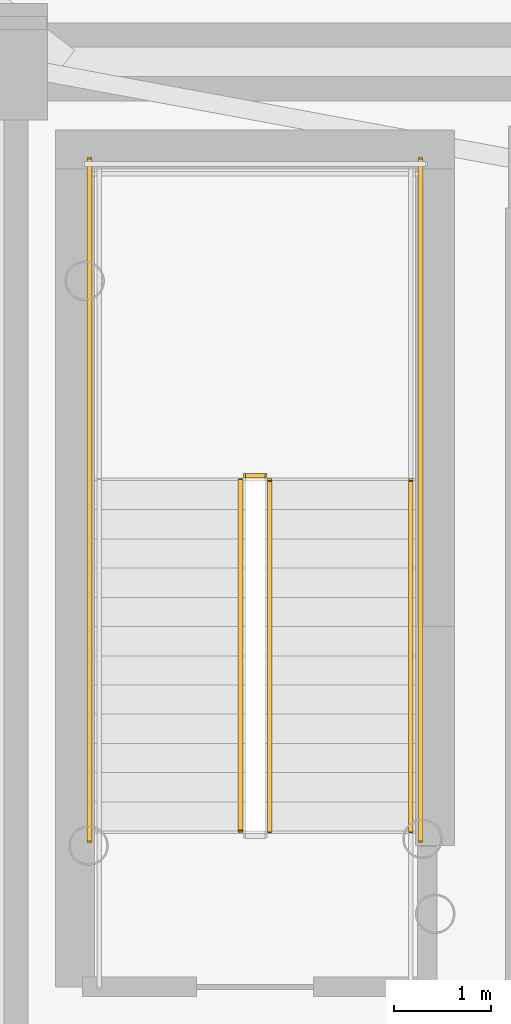
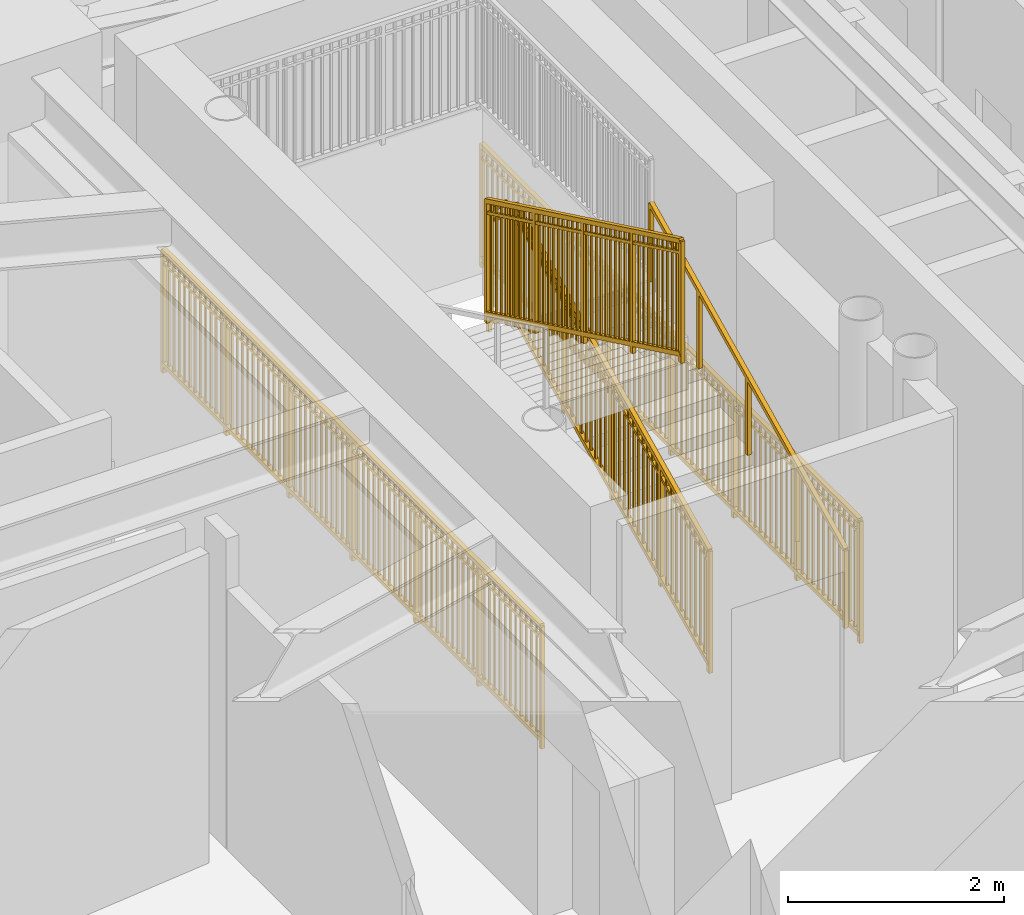
# One storey, part 13 of 18: 6 railings.
"""IFC4 building model written with IfcOpenShell, lengths in metres."""

from ifc_helpers import new_model, si_unit, direction, frame, origin, origin_2d, place, context, subcontext, project, spatial, rectangle, extrude, source, transform, mapped, material, type_object, element, save


model = new_model("IFC4")

# Units and contexts
model_context = context("Model", 3, precision=1e-05, world=origin(), true_north=direction((0.0, 1.0)))
body_context = subcontext(model_context, "Body", "Model", "MODEL_VIEW")
ifc_project = project(units=[si_unit("LENGTHUNIT", "METRE"), si_unit("AREAUNIT", "SQUARE_METRE"), si_unit("VOLUMEUNIT", "CUBIC_METRE"), si_unit("PLANEANGLEUNIT", "RADIAN"), si_unit("MASSUNIT", "GRAM", prefix="KILO")], contexts=[model_context])

# Site, building, storey
site_placement = place(None, origin())
site = spatial("IfcSite", under=ifc_project, at=site_placement, CompositionType="ELEMENT")
building_placement = place(site_placement, origin())
building = spatial("IfcBuilding", under=site, at=building_placement, Name="Linh Dai School and Residence Tower", CompositionType="ELEMENT")
storey_placement = place(building_placement, frame((0.0, 0.0, 178.64990234375)))
storey = spatial("IfcBuildingStorey", under=building, at=storey_placement, Name="L43", CompositionType="ELEMENT", Elevation=178.64990234375)

# Railings
ifc_material_1 = material(Name="Structural Steel S355JR", Category="steel")
railing_type_1 = type_object("IfcRailingType", Name="RL-ST-GUARD-1400", PredefinedType="GUARDRAIL", material=ifc_material_1)
shared_shape_1 = source(origin(), body_context, "Body", "SweptSolid", [
    extrude(rectangle(XDim=0.048095703125, YDim=0.048095703125, at=origin_2d()), frame((0.0, 0.0, 1.3759765625), z_axis=(-1.0, 0.0, 0.0), x_axis=(0.0, -1.0, 0.0)), (0.0, 0.0, 1.0), 0.199951171875),
    extrude(rectangle(XDim=0.048095703125, YDim=0.048095703125, at=origin_2d()), frame((0.0, 0.0, 0.10009765625), z_axis=(-1.0, 0.0, 0.0), x_axis=(0.0, -1.0, 0.0)), (0.0, 0.0, 1.0), 0.199951171875),
    extrude(rectangle(XDim=0.030029296875, YDim=0.030029296875, at=origin_2d()), frame((0.0, 0.0, 1.239990234375), z_axis=(-1.0, 0.0, 0.0), x_axis=(0.0, -1.0, 0.0)), (0.0, 0.0, 1.0), 0.199951171875),
    extrude(rectangle(XDim=0.0419921875, YDim=0.0419921875, at=origin_2d()), origin(), (0.0, 0.0, 1.0), 1.3759765625),
    extrude(rectangle(XDim=0.0419921875, YDim=0.0419921875, at=origin_2d()), frame((-0.199951171875, 0.0, 0.0)), (0.0, 0.0, 1.0), 1.3759765625),
])
railing_1_placement = place(storey_placement, frame((29.429931640625, 29.35009765625, 1.875)))
element("IfcRailing", 1, at=railing_1_placement, inside=storey, type_object=railing_type_1, Name="L43 ST1 stair guard 2", PredefinedType="GUARDRAIL", context=body_context, shape_type="MappedRepresentation", body=[
    mapped(shared_shape_1, transform((0.0, 0.0, 0.0), x_axis=(1.0, 0.0, 0.0), y_axis=(0.0, 1.0, 0.0), z_axis=(0.0, 0.0, 1.0), scale=1.0)),
])
shared_shape_2 = source(origin(), body_context, "Body", "SweptSolid", [
    extrude(rectangle(XDim=0.048095703125, YDim=0.048095703125, at=origin_2d()), frame((0.0, 0.0, 1.3759765625), z_axis=(0.0, 1.0, 0.0), x_axis=(-1.0, 0.0, 0.0)), (0.0, 0.0, 1.0), 7.0),
    extrude(rectangle(XDim=0.048095703125, YDim=0.048095703125, at=origin_2d()), frame((0.0, 0.0, 0.10009765625), z_axis=(0.0, 1.0, 0.0), x_axis=(-1.0, 0.0, 0.0)), (0.0, 0.0, 1.0), 7.0),
    extrude(rectangle(XDim=0.030029296875, YDim=0.030029296875, at=origin_2d()), frame((0.0, 0.0, 1.239990234375), z_axis=(0.0, 1.0, 0.0), x_axis=(-1.0, 0.0, 0.0)), (0.0, 0.0, 1.0), 7.0),
    extrude(rectangle(XDim=0.02001953125, YDim=0.02001953125, at=origin_2d()), frame((0.0, 0.09716796875, 0.10009765625)), (0.0, 0.0, 1.0), 1.251708984375),
    extrude(rectangle(XDim=0.02001953125, YDim=0.02001953125, at=origin_2d()), frame((0.0, 0.1943359375, 0.10009765625)), (0.0, 0.0, 1.0), 1.251708984375),
    extrude(rectangle(XDim=0.02001953125, YDim=0.02001953125, at=origin_2d()), frame((0.0, 0.291748046875, 0.10009765625)), (0.0, 0.0, 1.0), 1.251708984375),
    extrude(rectangle(XDim=0.02001953125, YDim=0.02001953125, at=origin_2d()), frame((0.0, 0.388916015625, 0.10009765625)), (0.0, 0.0, 1.0), 1.251708984375),
    extrude(rectangle(XDim=0.02001953125, YDim=0.02001953125, at=origin_2d()), frame((0.0, 0.486083984375, 0.10009765625)), (0.0, 0.0, 1.0), 1.251708984375),
    extrude(rectangle(XDim=0.02001953125, YDim=0.02001953125, at=origin_2d()), frame((0.0, 0.583251953125, 0.10009765625)), (0.0, 0.0, 1.0), 1.251708984375),
    extrude(rectangle(XDim=0.02001953125, YDim=0.02001953125, at=origin_2d()), frame((0.0, 0.6806640625, 0.10009765625)), (0.0, 0.0, 1.0), 1.251708984375),
    extrude(rectangle(XDim=0.02001953125, YDim=0.02001953125, at=origin_2d()), frame((0.0, 0.77783203125, 0.10009765625)), (0.0, 0.0, 1.0), 1.251708984375),
    extrude(rectangle(XDim=0.02001953125, YDim=0.02001953125, at=origin_2d()), frame((0.0, 0.875, 0.10009765625)), (0.0, 0.0, 1.0), 1.251708984375),
    extrude(rectangle(XDim=0.02001953125, YDim=0.02001953125, at=origin_2d()), frame((0.0, 0.97216796875, 0.10009765625)), (0.0, 0.0, 1.0), 1.251708984375),
    extrude(rectangle(XDim=0.02001953125, YDim=0.02001953125, at=origin_2d()), frame((0.0, 1.0693359375, 0.10009765625)), (0.0, 0.0, 1.0), 1.251708984375),
    extrude(rectangle(XDim=0.02001953125, YDim=0.02001953125, at=origin_2d()), frame((0.0, 1.263916015625, 0.10009765625)), (0.0, 0.0, 1.0), 1.251708984375),
    extrude(rectangle(XDim=0.02001953125, YDim=0.02001953125, at=origin_2d()), frame((0.0, 1.361083984375, 0.10009765625)), (0.0, 0.0, 1.0), 1.251708984375),
    extrude(rectangle(XDim=0.02001953125, YDim=0.02001953125, at=origin_2d()), frame((0.0, 1.458251953125, 0.10009765625)), (0.0, 0.0, 1.0), 1.251708984375),
    extrude(rectangle(XDim=0.02001953125, YDim=0.02001953125, at=origin_2d()), frame((0.0, 1.5556640625, 0.10009765625)), (0.0, 0.0, 1.0), 1.251708984375),
    extrude(rectangle(XDim=0.02001953125, YDim=0.02001953125, at=origin_2d()), frame((0.0, 1.65283203125, 0.10009765625)), (0.0, 0.0, 1.0), 1.251708984375),
    extrude(rectangle(XDim=0.02001953125, YDim=0.02001953125, at=origin_2d()), frame((0.0, 1.75, 0.10009765625)), (0.0, 0.0, 1.0), 1.251708984375),
    extrude(rectangle(XDim=0.02001953125, YDim=0.02001953125, at=origin_2d()), frame((0.0, 1.84716796875, 0.10009765625)), (0.0, 0.0, 1.0), 1.251708984375),
    extrude(rectangle(XDim=0.02001953125, YDim=0.02001953125, at=origin_2d()), frame((0.0, 1.9443359375, 0.10009765625)), (0.0, 0.0, 1.0), 1.251708984375),
    extrude(rectangle(XDim=0.02001953125, YDim=0.02001953125, at=origin_2d()), frame((0.0, 2.041748046875, 0.10009765625)), (0.0, 0.0, 1.0), 1.251708984375),
    extrude(rectangle(XDim=0.02001953125, YDim=0.02001953125, at=origin_2d()), frame((0.0, 2.138916015625, 0.10009765625)), (0.0, 0.0, 1.0), 1.251708984375),
    extrude(rectangle(XDim=0.02001953125, YDim=0.02001953125, at=origin_2d()), frame((0.0, 2.236083984375, 0.10009765625)), (0.0, 0.0, 1.0), 1.251708984375),
    extrude(rectangle(XDim=0.02001953125, YDim=0.02001953125, at=origin_2d()), frame((0.0, 2.4306640625, 0.10009765625)), (0.0, 0.0, 1.0), 1.251708984375),
    extrude(rectangle(XDim=0.02001953125, YDim=0.02001953125, at=origin_2d()), frame((0.0, 2.52783203125, 0.10009765625)), (0.0, 0.0, 1.0), 1.251708984375),
    extrude(rectangle(XDim=0.02001953125, YDim=0.02001953125, at=origin_2d()), frame((0.0, 2.625, 0.10009765625)), (0.0, 0.0, 1.0), 1.251708984375),
    extrude(rectangle(XDim=0.02001953125, YDim=0.02001953125, at=origin_2d()), frame((0.0, 2.72216796875, 0.10009765625)), (0.0, 0.0, 1.0), 1.251708984375),
    extrude(rectangle(XDim=0.02001953125, YDim=0.02001953125, at=origin_2d()), frame((0.0, 2.8193359375, 0.10009765625)), (0.0, 0.0, 1.0), 1.251708984375),
    extrude(rectangle(XDim=0.02001953125, YDim=0.02001953125, at=origin_2d()), frame((0.0, 2.916748046875, 0.10009765625)), (0.0, 0.0, 1.0), 1.251708984375),
    extrude(rectangle(XDim=0.02001953125, YDim=0.02001953125, at=origin_2d()), frame((0.0, 3.013916015625, 0.10009765625)), (0.0, 0.0, 1.0), 1.251708984375),
    extrude(rectangle(XDim=0.02001953125, YDim=0.02001953125, at=origin_2d()), frame((0.0, 3.111083984375, 0.10009765625)), (0.0, 0.0, 1.0), 1.251708984375),
    extrude(rectangle(XDim=0.02001953125, YDim=0.02001953125, at=origin_2d()), frame((0.0, 3.208251953125, 0.10009765625)), (0.0, 0.0, 1.0), 1.251708984375),
    extrude(rectangle(XDim=0.02001953125, YDim=0.02001953125, at=origin_2d()), frame((0.0, 3.3056640625, 0.10009765625)), (0.0, 0.0, 1.0), 1.251708984375),
    extrude(rectangle(XDim=0.02001953125, YDim=0.02001953125, at=origin_2d()), frame((0.0, 3.40283203125, 0.10009765625)), (0.0, 0.0, 1.0), 1.251708984375),
    extrude(rectangle(XDim=0.02001953125, YDim=0.02001953125, at=origin_2d()), frame((0.0, 3.59716796875, 0.10009765625)), (0.0, 0.0, 1.0), 1.251708984375),
    extrude(rectangle(XDim=0.02001953125, YDim=0.02001953125, at=origin_2d()), frame((0.0, 3.6943359375, 0.10009765625)), (0.0, 0.0, 1.0), 1.251708984375),
    extrude(rectangle(XDim=0.02001953125, YDim=0.02001953125, at=origin_2d()), frame((0.0, 3.791748046875, 0.10009765625)), (0.0, 0.0, 1.0), 1.251708984375),
    extrude(rectangle(XDim=0.02001953125, YDim=0.02001953125, at=origin_2d()), frame((0.0, 3.888916015625, 0.10009765625)), (0.0, 0.0, 1.0), 1.251708984375),
    extrude(rectangle(XDim=0.02001953125, YDim=0.02001953125, at=origin_2d()), frame((0.0, 3.986083984375, 0.10009765625)), (0.0, 0.0, 1.0), 1.251708984375),
    extrude(rectangle(XDim=0.02001953125, YDim=0.02001953125, at=origin_2d()), frame((0.0, 4.083251953125, 0.10009765625)), (0.0, 0.0, 1.0), 1.251708984375),
    extrude(rectangle(XDim=0.02001953125, YDim=0.02001953125, at=origin_2d()), frame((0.0, 4.1806640625, 0.10009765625)), (0.0, 0.0, 1.0), 1.251708984375),
    extrude(rectangle(XDim=0.02001953125, YDim=0.02001953125, at=origin_2d()), frame((0.0, 4.27783203125, 0.10009765625)), (0.0, 0.0, 1.0), 1.251708984375),
    extrude(rectangle(XDim=0.02001953125, YDim=0.02001953125, at=origin_2d()), frame((0.0, 4.375, 0.10009765625)), (0.0, 0.0, 1.0), 1.251708984375),
    extrude(rectangle(XDim=0.02001953125, YDim=0.02001953125, at=origin_2d()), frame((0.0, 4.47216796875, 0.10009765625)), (0.0, 0.0, 1.0), 1.251708984375),
    extrude(rectangle(XDim=0.02001953125, YDim=0.02001953125, at=origin_2d()), frame((0.0, 4.5693359375, 0.10009765625)), (0.0, 0.0, 1.0), 1.251708984375),
    extrude(rectangle(XDim=0.02001953125, YDim=0.02001953125, at=origin_2d()), frame((0.0, 4.763916015625, 0.10009765625)), (0.0, 0.0, 1.0), 1.251708984375),
    extrude(rectangle(XDim=0.02001953125, YDim=0.02001953125, at=origin_2d()), frame((0.0, 4.861083984375, 0.10009765625)), (0.0, 0.0, 1.0), 1.251708984375),
    extrude(rectangle(XDim=0.02001953125, YDim=0.02001953125, at=origin_2d()), frame((0.0, 4.958251953125, 0.10009765625)), (0.0, 0.0, 1.0), 1.251708984375),
    extrude(rectangle(XDim=0.02001953125, YDim=0.02001953125, at=origin_2d()), frame((0.0, 5.0556640625, 0.10009765625)), (0.0, 0.0, 1.0), 1.251708984375),
    extrude(rectangle(XDim=0.02001953125, YDim=0.02001953125, at=origin_2d()), frame((0.0, 5.15283203125, 0.10009765625)), (0.0, 0.0, 1.0), 1.251708984375),
    extrude(rectangle(XDim=0.02001953125, YDim=0.02001953125, at=origin_2d()), frame((0.0, 5.25, 0.10009765625)), (0.0, 0.0, 1.0), 1.251708984375),
    extrude(rectangle(XDim=0.02001953125, YDim=0.02001953125, at=origin_2d()), frame((0.0, 5.34716796875, 0.10009765625)), (0.0, 0.0, 1.0), 1.251708984375),
    extrude(rectangle(XDim=0.02001953125, YDim=0.02001953125, at=origin_2d()), frame((0.0, 5.4443359375, 0.10009765625)), (0.0, 0.0, 1.0), 1.251708984375),
    extrude(rectangle(XDim=0.02001953125, YDim=0.02001953125, at=origin_2d()), frame((0.0, 5.541748046875, 0.10009765625)), (0.0, 0.0, 1.0), 1.251708984375),
    extrude(rectangle(XDim=0.02001953125, YDim=0.02001953125, at=origin_2d()), frame((0.0, 5.638916015625, 0.10009765625)), (0.0, 0.0, 1.0), 1.251708984375),
    extrude(rectangle(XDim=0.02001953125, YDim=0.02001953125, at=origin_2d()), frame((0.0, 5.736083984375, 0.10009765625)), (0.0, 0.0, 1.0), 1.251708984375),
    extrude(rectangle(XDim=0.02001953125, YDim=0.02001953125, at=origin_2d()), frame((0.0, 5.9306640625, 0.10009765625)), (0.0, 0.0, 1.0), 1.251708984375),
    extrude(rectangle(XDim=0.02001953125, YDim=0.02001953125, at=origin_2d()), frame((0.0, 6.02783203125, 0.10009765625)), (0.0, 0.0, 1.0), 1.251708984375),
    extrude(rectangle(XDim=0.02001953125, YDim=0.02001953125, at=origin_2d()), frame((0.0, 6.125, 0.10009765625)), (0.0, 0.0, 1.0), 1.251708984375),
    extrude(rectangle(XDim=0.02001953125, YDim=0.02001953125, at=origin_2d()), frame((0.0, 6.22216796875, 0.10009765625)), (0.0, 0.0, 1.0), 1.251708984375),
    extrude(rectangle(XDim=0.02001953125, YDim=0.02001953125, at=origin_2d()), frame((0.0, 6.3193359375, 0.10009765625)), (0.0, 0.0, 1.0), 1.251708984375),
    extrude(rectangle(XDim=0.02001953125, YDim=0.02001953125, at=origin_2d()), frame((0.0, 6.416748046875, 0.10009765625)), (0.0, 0.0, 1.0), 1.251708984375),
    extrude(rectangle(XDim=0.02001953125, YDim=0.02001953125, at=origin_2d()), frame((0.0, 6.513916015625, 0.10009765625)), (0.0, 0.0, 1.0), 1.251708984375),
    extrude(rectangle(XDim=0.02001953125, YDim=0.02001953125, at=origin_2d()), frame((0.0, 6.611083984375, 0.10009765625)), (0.0, 0.0, 1.0), 1.251708984375),
    extrude(rectangle(XDim=0.02001953125, YDim=0.02001953125, at=origin_2d()), frame((0.0, 6.708251953125, 0.10009765625)), (0.0, 0.0, 1.0), 1.251708984375),
    extrude(rectangle(XDim=0.02001953125, YDim=0.02001953125, at=origin_2d()), frame((0.0, 6.8056640625, 0.10009765625)), (0.0, 0.0, 1.0), 1.251708984375),
    extrude(rectangle(XDim=0.02001953125, YDim=0.02001953125, at=origin_2d()), frame((0.0, 6.90283203125, 0.10009765625)), (0.0, 0.0, 1.0), 1.251708984375),
    extrude(rectangle(XDim=0.0419921875, YDim=0.0419921875, at=origin_2d()), origin(), (0.0, 0.0, 1.0), 1.3759765625),
    extrude(rectangle(XDim=0.0419921875, YDim=0.0419921875, at=origin_2d()), frame((0.0, 1.166748046875, 0.0)), (0.0, 0.0, 1.0), 1.3759765625),
    extrude(rectangle(XDim=0.0419921875, YDim=0.0419921875, at=origin_2d()), frame((0.0, 2.333251953125, 0.0)), (0.0, 0.0, 1.0), 1.3759765625),
    extrude(rectangle(XDim=0.0419921875, YDim=0.0419921875, at=origin_2d()), frame((0.0, 3.5, 0.0)), (0.0, 0.0, 1.0), 1.3759765625),
    extrude(rectangle(XDim=0.0419921875, YDim=0.0419921875, at=origin_2d()), frame((0.0, 4.666748046875, 0.0)), (0.0, 0.0, 1.0), 1.3759765625),
    extrude(rectangle(XDim=0.0419921875, YDim=0.0419921875, at=origin_2d()), frame((0.0, 5.833251953125, 0.0)), (0.0, 0.0, 1.0), 1.3759765625),
    extrude(rectangle(XDim=0.0419921875, YDim=0.0419921875, at=origin_2d()), frame((0.0, 7.0, 0.0)), (0.0, 0.0, 1.0), 1.3759765625),
])
for number, where, name in (
    (2, (31.030029296875, 25.60009765625, 0.0), "L43 ST1 stair guard 10"),
    (3, (27.6298828125, 25.60009765625, 0.0), "L43 ST1 stair guard 11"),
):
    element("IfcRailing", number, at=place(storey_placement, frame(where)), inside=storey, type_object=railing_type_1, Name=name, PredefinedType="GUARDRAIL", context=body_context, shape_type="MappedRepresentation", body=[
        mapped(shared_shape_2, transform((0.0, 0.0, 0.0), x_axis=(1.0, 0.0, 0.0), y_axis=(0.0, 1.0, 0.0), z_axis=(0.0, 0.0, 1.0), scale=1.0)),
    ])
shared_shape_3 = source(origin(), body_context, "Body", "SweptSolid", [
    extrude(rectangle(XDim=0.048095703125, YDim=0.048095703125, at=origin_2d()), frame((0.0, 0.0, 1.3759765625), z_axis=(0.0, 0.901262522062, 0.433273431364), x_axis=(-1.0, 0.0, 0.0)), (0.0, 0.0, 1.0), 3.994384765625),
    extrude(rectangle(XDim=0.048095703125, YDim=0.048095703125, at=origin_2d()), frame((0.0, 0.0, 0.10009765625), z_axis=(0.0, 0.901262522062, 0.433273431364), x_axis=(-1.0, 0.0, 0.0)), (0.0, 0.0, 1.0), 3.994384765625),
    extrude(rectangle(XDim=0.030029296875, YDim=0.030029296875, at=origin_2d()), frame((0.0, 0.0, 1.239990234375), z_axis=(0.0, 0.901262522062, 0.433273431364), x_axis=(-1.0, 0.0, 0.0)), (0.0, 0.0, 1.0), 3.994384765625),
    extrude(rectangle(XDim=0.02001953125, YDim=0.02001953125, at=origin_2d()), frame((0.0, 0.087890625, 0.142333984375)), (0.0, 0.0, 1.0), 1.251708984375),
    extrude(rectangle(XDim=0.02001953125, YDim=0.02001953125, at=origin_2d()), frame((0.0, 0.175537109375, 0.1845703125)), (0.0, 0.0, 1.0), 1.251708984375),
    extrude(rectangle(XDim=0.02001953125, YDim=0.02001953125, at=origin_2d()), frame((0.0, 0.263427734375, 0.226806640625)), (0.0, 0.0, 1.0), 1.251708984375),
    extrude(rectangle(XDim=0.02001953125, YDim=0.02001953125, at=origin_2d()), frame((0.0, 0.351318359375, 0.26904296875)), (0.0, 0.0, 1.0), 1.251708984375),
    extrude(rectangle(XDim=0.02001953125, YDim=0.02001953125, at=origin_2d()), frame((0.0, 0.43896484375, 0.311279296875)), (0.0, 0.0, 1.0), 1.251708984375),
    extrude(rectangle(XDim=0.02001953125, YDim=0.02001953125, at=origin_2d()), frame((0.0, 0.52685546875, 0.353271484375)), (0.0, 0.0, 1.0), 1.251708984375),
    extrude(rectangle(XDim=0.02001953125, YDim=0.02001953125, at=origin_2d()), frame((0.0, 0.61474609375, 0.3955078125)), (0.0, 0.0, 1.0), 1.251708984375),
    extrude(rectangle(XDim=0.02001953125, YDim=0.02001953125, at=origin_2d()), frame((0.0, 0.702392578125, 0.437744140625)), (0.0, 0.0, 1.0), 1.251708984375),
    extrude(rectangle(XDim=0.02001953125, YDim=0.02001953125, at=origin_2d()), frame((0.0, 0.790283203125, 0.47998046875)), (0.0, 0.0, 1.0), 1.251708984375),
    extrude(rectangle(XDim=0.02001953125, YDim=0.02001953125, at=origin_2d()), frame((0.0, 0.9658203125, 0.564453125)), (0.0, 0.0, 1.0), 1.251708984375),
    extrude(rectangle(XDim=0.02001953125, YDim=0.02001953125, at=origin_2d()), frame((0.0, 1.0537109375, 0.606689453125)), (0.0, 0.0, 1.0), 1.251708984375),
    extrude(rectangle(XDim=0.02001953125, YDim=0.02001953125, at=origin_2d()), frame((0.0, 1.1416015625, 0.64892578125)), (0.0, 0.0, 1.0), 1.251708984375),
    extrude(rectangle(XDim=0.02001953125, YDim=0.02001953125, at=origin_2d()), frame((0.0, 1.229248046875, 0.691162109375)), (0.0, 0.0, 1.0), 1.251708984375),
    extrude(rectangle(XDim=0.02001953125, YDim=0.02001953125, at=origin_2d()), frame((0.0, 1.317138671875, 0.7333984375)), (0.0, 0.0, 1.0), 1.251708984375),
    extrude(rectangle(XDim=0.02001953125, YDim=0.02001953125, at=origin_2d()), frame((0.0, 1.405029296875, 0.775390625)), (0.0, 0.0, 1.0), 1.251708984375),
    extrude(rectangle(XDim=0.02001953125, YDim=0.02001953125, at=origin_2d()), frame((0.0, 1.49267578125, 0.817626953125)), (0.0, 0.0, 1.0), 1.251708984375),
    extrude(rectangle(XDim=0.02001953125, YDim=0.02001953125, at=origin_2d()), frame((0.0, 1.58056640625, 0.85986328125)), (0.0, 0.0, 1.0), 1.251708984375),
    extrude(rectangle(XDim=0.02001953125, YDim=0.02001953125, at=origin_2d()), frame((0.0, 1.66845703125, 0.902099609375)), (0.0, 0.0, 1.0), 1.251708984375),
    extrude(rectangle(XDim=0.02001953125, YDim=0.02001953125, at=origin_2d()), frame((0.0, 1.756103515625, 0.9443359375)), (0.0, 0.0, 1.0), 1.251708984375),
    extrude(rectangle(XDim=0.02001953125, YDim=0.02001953125, at=origin_2d()), frame((0.0, 1.843994140625, 0.986572265625)), (0.0, 0.0, 1.0), 1.251708984375),
    extrude(rectangle(XDim=0.02001953125, YDim=0.02001953125, at=origin_2d()), frame((0.0, 1.931640625, 1.02880859375)), (0.0, 0.0, 1.0), 1.251708984375),
    extrude(rectangle(XDim=0.02001953125, YDim=0.02001953125, at=origin_2d()), frame((0.0, 2.01953125, 1.071044921875)), (0.0, 0.0, 1.0), 1.251708984375),
    extrude(rectangle(XDim=0.02001953125, YDim=0.02001953125, at=origin_2d()), frame((0.0, 2.107421875, 1.11328125)), (0.0, 0.0, 1.0), 1.251708984375),
    extrude(rectangle(XDim=0.02001953125, YDim=0.02001953125, at=origin_2d()), frame((0.0, 2.195068359375, 1.155517578125)), (0.0, 0.0, 1.0), 1.251708984375),
    extrude(rectangle(XDim=0.02001953125, YDim=0.02001953125, at=origin_2d()), frame((0.0, 2.282958984375, 1.197509765625)), (0.0, 0.0, 1.0), 1.251708984375),
    extrude(rectangle(XDim=0.02001953125, YDim=0.02001953125, at=origin_2d()), frame((0.0, 2.370849609375, 1.23974609375)), (0.0, 0.0, 1.0), 1.251708984375),
    extrude(rectangle(XDim=0.02001953125, YDim=0.02001953125, at=origin_2d()), frame((0.0, 2.45849609375, 1.281982421875)), (0.0, 0.0, 1.0), 1.251708984375),
    extrude(rectangle(XDim=0.02001953125, YDim=0.02001953125, at=origin_2d()), frame((0.0, 2.54638671875, 1.32421875)), (0.0, 0.0, 1.0), 1.251708984375),
    extrude(rectangle(XDim=0.02001953125, YDim=0.02001953125, at=origin_2d()), frame((0.0, 2.63427734375, 1.366455078125)), (0.0, 0.0, 1.0), 1.251708984375),
    extrude(rectangle(XDim=0.02001953125, YDim=0.02001953125, at=origin_2d()), frame((0.0, 2.809814453125, 1.450927734375)), (0.0, 0.0, 1.0), 1.251708984375),
    extrude(rectangle(XDim=0.02001953125, YDim=0.02001953125, at=origin_2d()), frame((0.0, 2.897705078125, 1.4931640625)), (0.0, 0.0, 1.0), 1.251708984375),
    extrude(rectangle(XDim=0.02001953125, YDim=0.02001953125, at=origin_2d()), frame((0.0, 2.9853515625, 1.535400390625)), (0.0, 0.0, 1.0), 1.251708984375),
    extrude(rectangle(XDim=0.02001953125, YDim=0.02001953125, at=origin_2d()), frame((0.0, 3.0732421875, 1.57763671875)), (0.0, 0.0, 1.0), 1.251708984375),
    extrude(rectangle(XDim=0.02001953125, YDim=0.02001953125, at=origin_2d()), frame((0.0, 3.1611328125, 1.61962890625)), (0.0, 0.0, 1.0), 1.251708984375),
    extrude(rectangle(XDim=0.02001953125, YDim=0.02001953125, at=origin_2d()), frame((0.0, 3.248779296875, 1.661865234375)), (0.0, 0.0, 1.0), 1.251708984375),
    extrude(rectangle(XDim=0.02001953125, YDim=0.02001953125, at=origin_2d()), frame((0.0, 3.336669921875, 1.7041015625)), (0.0, 0.0, 1.0), 1.251708984375),
    extrude(rectangle(XDim=0.02001953125, YDim=0.02001953125, at=origin_2d()), frame((0.0, 3.424560546875, 1.746337890625)), (0.0, 0.0, 1.0), 1.251708984375),
    extrude(rectangle(XDim=0.02001953125, YDim=0.02001953125, at=origin_2d()), frame((0.0, 3.51220703125, 1.78857421875)), (0.0, 0.0, 1.0), 1.251708984375),
    extrude(rectangle(XDim=0.0419921875, YDim=0.0419921875, at=origin_2d()), origin(), (0.0, 0.0, 1.0), 1.3759765625),
    extrude(rectangle(XDim=0.0419921875, YDim=0.0419921875, at=origin_2d()), frame((0.0, 0.89990234375, 0.4326171875)), (0.0, 0.0, 1.0), 1.3759765625),
    extrude(rectangle(XDim=0.0419921875, YDim=0.0419921875, at=origin_2d()), frame((0.0, 1.800048828125, 0.865234375)), (0.0, 0.0, 1.0), 1.3759765625),
    extrude(rectangle(XDim=0.0419921875, YDim=0.0419921875, at=origin_2d()), frame((0.0, 2.7001953125, 1.298095703125)), (0.0, 0.0, 1.0), 1.3759765625),
    extrude(rectangle(XDim=0.0419921875, YDim=0.0419921875, at=origin_2d()), frame((0.0, 3.60009765625, 1.730712890625)), (0.0, 0.0, 1.0), 1.3759765625),
])
railing_2_placement = place(storey_placement, frame((29.47998046875, 25.699951171875, 0.144287109375)))
element("IfcRailing", 4, at=railing_2_placement, inside=storey, type_object=railing_type_1, Name="L43 ST1 stair guard 1", PredefinedType="GUARDRAIL", context=body_context, shape_type="MappedRepresentation", body=[
    mapped(shared_shape_3, transform((0.0, 0.0, 0.0), x_axis=(1.0, 0.0, 0.0), y_axis=(0.0, 1.0, 0.0), z_axis=(0.0, 0.0, 1.0), scale=1.0)),
])
shared_shape_4 = source(origin(), body_context, "Body", "SweptSolid", [
    extrude(rectangle(XDim=0.048095703125, YDim=0.048095703125, at=origin_2d()), frame((0.0, 0.0, 1.3759765625), z_axis=(0.0, -0.901262522062, 0.433273431364), x_axis=(1.0, 0.0, 0.0)), (0.0, 0.0, 1.0), 3.994384765625),
    extrude(rectangle(XDim=0.048095703125, YDim=0.048095703125, at=origin_2d()), frame((0.0, 0.0, 0.10009765625), z_axis=(0.0, -0.901262522062, 0.433273431364), x_axis=(1.0, 0.0, 0.0)), (0.0, 0.0, 1.0), 3.994384765625),
    extrude(rectangle(XDim=0.030029296875, YDim=0.030029296875, at=origin_2d()), frame((0.0, 0.0, 1.239990234375), z_axis=(0.0, -0.901262522062, 0.433273431364), x_axis=(1.0, 0.0, 0.0)), (0.0, 0.0, 1.0), 3.994384765625),
    extrude(rectangle(XDim=0.02001953125, YDim=0.02001953125, at=origin_2d()), frame((0.0, -0.087890625, 0.142333984375)), (0.0, 0.0, 1.0), 1.251708984375),
    extrude(rectangle(XDim=0.02001953125, YDim=0.02001953125, at=origin_2d()), frame((0.0, -0.175537109375, 0.1845703125)), (0.0, 0.0, 1.0), 1.251708984375),
    extrude(rectangle(XDim=0.02001953125, YDim=0.02001953125, at=origin_2d()), frame((0.0, -0.263427734375, 0.226806640625)), (0.0, 0.0, 1.0), 1.251708984375),
    extrude(rectangle(XDim=0.02001953125, YDim=0.02001953125, at=origin_2d()), frame((0.0, -0.351318359375, 0.26904296875)), (0.0, 0.0, 1.0), 1.251708984375),
    extrude(rectangle(XDim=0.02001953125, YDim=0.02001953125, at=origin_2d()), frame((0.0, -0.43896484375, 0.311279296875)), (0.0, 0.0, 1.0), 1.251708984375),
    extrude(rectangle(XDim=0.02001953125, YDim=0.02001953125, at=origin_2d()), frame((0.0, -0.52685546875, 0.353271484375)), (0.0, 0.0, 1.0), 1.251708984375),
    extrude(rectangle(XDim=0.02001953125, YDim=0.02001953125, at=origin_2d()), frame((0.0, -0.61474609375, 0.3955078125)), (0.0, 0.0, 1.0), 1.251708984375),
    extrude(rectangle(XDim=0.02001953125, YDim=0.02001953125, at=origin_2d()), frame((0.0, -0.702392578125, 0.437744140625)), (0.0, 0.0, 1.0), 1.251708984375),
    extrude(rectangle(XDim=0.02001953125, YDim=0.02001953125, at=origin_2d()), frame((0.0, -0.790283203125, 0.47998046875)), (0.0, 0.0, 1.0), 1.251708984375),
    extrude(rectangle(XDim=0.02001953125, YDim=0.02001953125, at=origin_2d()), frame((0.0, -0.9658203125, 0.564453125)), (0.0, 0.0, 1.0), 1.251708984375),
    extrude(rectangle(XDim=0.02001953125, YDim=0.02001953125, at=origin_2d()), frame((0.0, -1.0537109375, 0.606689453125)), (0.0, 0.0, 1.0), 1.251708984375),
    extrude(rectangle(XDim=0.02001953125, YDim=0.02001953125, at=origin_2d()), frame((0.0, -1.1416015625, 0.64892578125)), (0.0, 0.0, 1.0), 1.251708984375),
    extrude(rectangle(XDim=0.02001953125, YDim=0.02001953125, at=origin_2d()), frame((0.0, -1.229248046875, 0.691162109375)), (0.0, 0.0, 1.0), 1.251708984375),
    extrude(rectangle(XDim=0.02001953125, YDim=0.02001953125, at=origin_2d()), frame((0.0, -1.317138671875, 0.7333984375)), (0.0, 0.0, 1.0), 1.251708984375),
    extrude(rectangle(XDim=0.02001953125, YDim=0.02001953125, at=origin_2d()), frame((0.0, -1.405029296875, 0.775390625)), (0.0, 0.0, 1.0), 1.251708984375),
    extrude(rectangle(XDim=0.02001953125, YDim=0.02001953125, at=origin_2d()), frame((0.0, -1.49267578125, 0.817626953125)), (0.0, 0.0, 1.0), 1.251708984375),
    extrude(rectangle(XDim=0.02001953125, YDim=0.02001953125, at=origin_2d()), frame((0.0, -1.58056640625, 0.85986328125)), (0.0, 0.0, 1.0), 1.251708984375),
    extrude(rectangle(XDim=0.02001953125, YDim=0.02001953125, at=origin_2d()), frame((0.0, -1.66845703125, 0.902099609375)), (0.0, 0.0, 1.0), 1.251708984375),
    extrude(rectangle(XDim=0.02001953125, YDim=0.02001953125, at=origin_2d()), frame((0.0, -1.756103515625, 0.9443359375)), (0.0, 0.0, 1.0), 1.251708984375),
    extrude(rectangle(XDim=0.02001953125, YDim=0.02001953125, at=origin_2d()), frame((0.0, -1.843994140625, 0.986572265625)), (0.0, 0.0, 1.0), 1.251708984375),
    extrude(rectangle(XDim=0.02001953125, YDim=0.02001953125, at=origin_2d()), frame((0.0, -1.931640625, 1.02880859375)), (0.0, 0.0, 1.0), 1.251708984375),
    extrude(rectangle(XDim=0.02001953125, YDim=0.02001953125, at=origin_2d()), frame((0.0, -2.01953125, 1.071044921875)), (0.0, 0.0, 1.0), 1.251708984375),
    extrude(rectangle(XDim=0.02001953125, YDim=0.02001953125, at=origin_2d()), frame((0.0, -2.107421875, 1.11328125)), (0.0, 0.0, 1.0), 1.251708984375),
    extrude(rectangle(XDim=0.02001953125, YDim=0.02001953125, at=origin_2d()), frame((0.0, -2.195068359375, 1.155517578125)), (0.0, 0.0, 1.0), 1.251708984375),
    extrude(rectangle(XDim=0.02001953125, YDim=0.02001953125, at=origin_2d()), frame((0.0, -2.282958984375, 1.197509765625)), (0.0, 0.0, 1.0), 1.251708984375),
    extrude(rectangle(XDim=0.02001953125, YDim=0.02001953125, at=origin_2d()), frame((0.0, -2.370849609375, 1.23974609375)), (0.0, 0.0, 1.0), 1.251708984375),
    extrude(rectangle(XDim=0.02001953125, YDim=0.02001953125, at=origin_2d()), frame((0.0, -2.45849609375, 1.281982421875)), (0.0, 0.0, 1.0), 1.251708984375),
    extrude(rectangle(XDim=0.02001953125, YDim=0.02001953125, at=origin_2d()), frame((0.0, -2.54638671875, 1.32421875)), (0.0, 0.0, 1.0), 1.251708984375),
    extrude(rectangle(XDim=0.02001953125, YDim=0.02001953125, at=origin_2d()), frame((0.0, -2.63427734375, 1.366455078125)), (0.0, 0.0, 1.0), 1.251708984375),
    extrude(rectangle(XDim=0.02001953125, YDim=0.02001953125, at=origin_2d()), frame((0.0, -2.809814453125, 1.450927734375)), (0.0, 0.0, 1.0), 1.251708984375),
    extrude(rectangle(XDim=0.02001953125, YDim=0.02001953125, at=origin_2d()), frame((0.0, -2.897705078125, 1.4931640625)), (0.0, 0.0, 1.0), 1.251708984375),
    extrude(rectangle(XDim=0.02001953125, YDim=0.02001953125, at=origin_2d()), frame((0.0, -2.9853515625, 1.535400390625)), (0.0, 0.0, 1.0), 1.251708984375),
    extrude(rectangle(XDim=0.02001953125, YDim=0.02001953125, at=origin_2d()), frame((0.0, -3.0732421875, 1.57763671875)), (0.0, 0.0, 1.0), 1.251708984375),
    extrude(rectangle(XDim=0.02001953125, YDim=0.02001953125, at=origin_2d()), frame((0.0, -3.1611328125, 1.61962890625)), (0.0, 0.0, 1.0), 1.251708984375),
    extrude(rectangle(XDim=0.02001953125, YDim=0.02001953125, at=origin_2d()), frame((0.0, -3.248779296875, 1.661865234375)), (0.0, 0.0, 1.0), 1.251708984375),
    extrude(rectangle(XDim=0.02001953125, YDim=0.02001953125, at=origin_2d()), frame((0.0, -3.336669921875, 1.7041015625)), (0.0, 0.0, 1.0), 1.251708984375),
    extrude(rectangle(XDim=0.02001953125, YDim=0.02001953125, at=origin_2d()), frame((0.0, -3.424560546875, 1.746337890625)), (0.0, 0.0, 1.0), 1.251708984375),
    extrude(rectangle(XDim=0.02001953125, YDim=0.02001953125, at=origin_2d()), frame((0.0, -3.51220703125, 1.78857421875)), (0.0, 0.0, 1.0), 1.251708984375),
    extrude(rectangle(XDim=0.0419921875, YDim=0.0419921875, at=origin_2d()), origin(), (0.0, 0.0, 1.0), 1.3759765625),
    extrude(rectangle(XDim=0.0419921875, YDim=0.0419921875, at=origin_2d()), frame((0.0, -0.89990234375, 0.4326171875)), (0.0, 0.0, 1.0), 1.3759765625),
    extrude(rectangle(XDim=0.0419921875, YDim=0.0419921875, at=origin_2d()), frame((0.0, -1.800048828125, 0.865234375)), (0.0, 0.0, 1.0), 1.3759765625),
    extrude(rectangle(XDim=0.0419921875, YDim=0.0419921875, at=origin_2d()), frame((0.0, -2.7001953125, 1.298095703125)), (0.0, 0.0, 1.0), 1.3759765625),
    extrude(rectangle(XDim=0.0419921875, YDim=0.0419921875, at=origin_2d()), frame((0.0, -3.60009765625, 1.730712890625)), (0.0, 0.0, 1.0), 1.3759765625),
])
railing_3_placement = place(storey_placement, frame((29.179931640625, 29.300048828125, 2.019287109375)))
element("IfcRailing", 5, at=railing_3_placement, inside=storey, type_object=railing_type_1, Name="L43 ST1 stair guard 6", PredefinedType="GUARDRAIL", context=body_context, shape_type="MappedRepresentation", body=[
    mapped(shared_shape_4, transform((0.0, 0.0, 0.0), x_axis=(1.0, 0.0, 0.0), y_axis=(0.0, 1.0, 0.0), z_axis=(0.0, 0.0, 1.0), scale=1.0)),
])
ifc_material_2 = material(Name="Brushed Stainless Steel Handrail", Category="steel")
railing_type_2 = type_object("IfcRailingType", Name="RL-ST-HANDRAIL-900", PredefinedType="HANDRAIL", material=ifc_material_2)
shared_shape_5 = source(origin(), body_context, "Body", "SweptSolid", [
    extrude(rectangle(XDim=0.048095703125, YDim=0.048095703125, at=origin_2d()), frame((0.0, 0.0, 0.8759765625), z_axis=(0.0, 0.901262522062, 0.433273431364), x_axis=(-1.0, 0.0, 0.0)), (0.0, 0.0, 1.0), 3.994384765625),
    extrude(rectangle(XDim=0.0419921875, YDim=0.0419921875, at=origin_2d()), origin(), (0.0, 0.0, 1.0), 0.8759765625),
    extrude(rectangle(XDim=0.0419921875, YDim=0.0419921875, at=origin_2d()), frame((0.0, 0.89990234375, 0.4326171875)), (0.0, 0.0, 1.0), 0.8759765625),
    extrude(rectangle(XDim=0.0419921875, YDim=0.0419921875, at=origin_2d()), frame((0.0, 1.800048828125, 0.865234375)), (0.0, 0.0, 1.0), 0.8759765625),
    extrude(rectangle(XDim=0.0419921875, YDim=0.0419921875, at=origin_2d()), frame((0.0, 2.7001953125, 1.298095703125)), (0.0, 0.0, 1.0), 0.8759765625),
    extrude(rectangle(XDim=0.0419921875, YDim=0.0419921875, at=origin_2d()), frame((0.0, 3.60009765625, 1.730712890625)), (0.0, 0.0, 1.0), 0.8759765625),
])
railing_4_placement = place(storey_placement, frame((30.929931640625, 25.699951171875, 0.144287109375)))
element("IfcRailing", 6, at=railing_4_placement, inside=storey, type_object=railing_type_2, Name="L43 ST1 stair handrail 1", PredefinedType="HANDRAIL", context=body_context, shape_type="MappedRepresentation", body=[
    mapped(shared_shape_5, transform((0.0, 0.0, 0.0), x_axis=(1.0, 0.0, 0.0), y_axis=(0.0, 1.0, 0.0), z_axis=(0.0, 0.0, 1.0), scale=1.0)),
])

save(model, "model.ifc")
